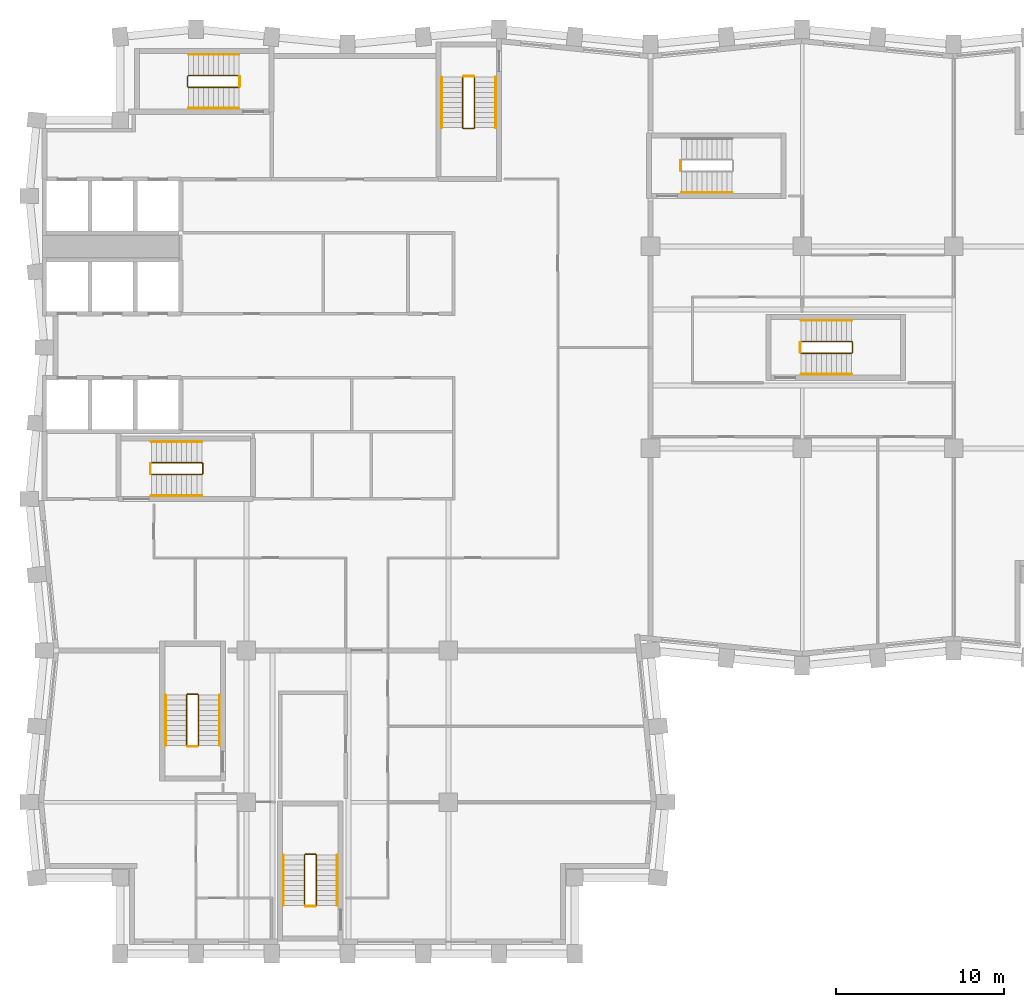
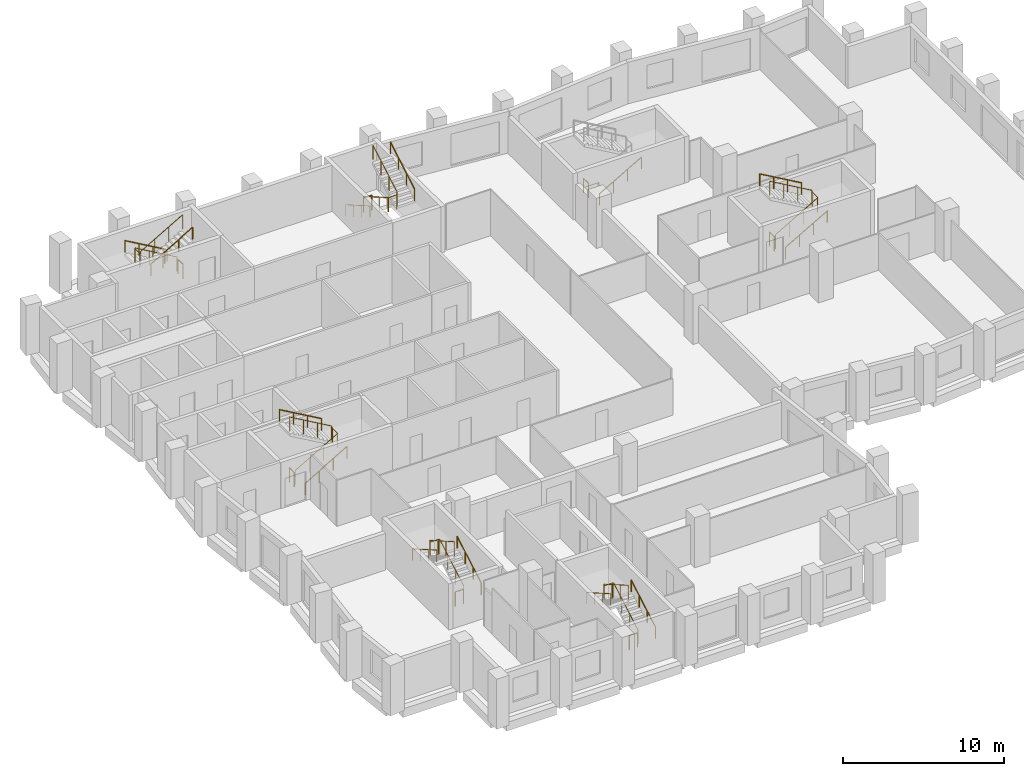
# One storey, part 9 of 10: 26 railings.
"""IFC4 building model written with IfcOpenShell, lengths in metres."""

from ifc_helpers import new_model, si_unit, direction, frame, origin, origin_2d, place, context, subcontext, project, spatial, circle, extrude, material, type_object, element, save


model = new_model("IFC4")

# Units and contexts
model_context = context("Model", 3, precision=1e-05, world=origin(), true_north=direction((0.0, 1.0)))
body_context = subcontext(model_context, "Body", "Model", "MODEL_VIEW")
ifc_project = project(units=[si_unit("LENGTHUNIT", "METRE"), si_unit("AREAUNIT", "SQUARE_METRE"), si_unit("VOLUMEUNIT", "CUBIC_METRE"), si_unit("PLANEANGLEUNIT", "RADIAN"), si_unit("MASSUNIT", "GRAM", prefix="KILO")], contexts=[model_context])

# Site, building, storey
site_placement = place(None, origin())
site = spatial("IfcSite", under=ifc_project, at=site_placement, CompositionType="ELEMENT")
building_placement = place(site_placement, origin())
building = spatial("IfcBuilding", under=site, at=building_placement, Name="Brondeck Convention Tower", CompositionType="ELEMENT")
storey_placement = place(building_placement, frame((0.0, 0.0, 154.800048828125)))
storey = spatial("IfcBuildingStorey", under=building, at=storey_placement, Name="L37", CompositionType="ELEMENT", Elevation=154.800048828125)

# Railings
ifc_material = material(Name="Steel S355", Category="steel")
railing_type_1 = type_object("IfcRailingType", Name="Stair guard 1100", PredefinedType="GUARDRAIL", material=ifc_material)
railing_1_placement = place(storey_placement, frame((6.35009765625, 37.449951171875, 0.172607421875)))
element("IfcRailing", 1, at=railing_1_placement, inside=storey, type_object=railing_type_1, Name="L37 ST-1 stair guard 1", PredefinedType="GUARDRAIL", context=body_context, shape_type="SweptSolid", body=[
    extrude(circle(Radius=0.02392578125, at=origin_2d()), frame((0.0, 0.0, 1.076171875), z_axis=(0.866619684472, 0.0, 0.498969260062), x_axis=(0.0, 1.0, 0.0)), (0.0, 0.0, 1.0), 3.461669921875),
    extrude(circle(Radius=0.02392578125, at=origin_2d()), frame((3.0, 0.0, 2.80322265625), z_axis=(0.705375805398, 0.708833529934, 0.0), x_axis=(-0.708833529934, 0.705375805398, 0.0)), (0.0, 0.0, 1.0), 0.070556640625),
    extrude(circle(Radius=0.02392578125, at=origin_2d()), frame((3.0498046875, 0.050048828125, 2.80322265625), z_axis=(0.0, 1.0, 0.0), x_axis=(-1.0, 0.0, 0.0)), (0.0, 0.0, 1.0), 0.60009765625),
    extrude(circle(Radius=0.02392578125, at=origin_2d()), frame((3.0498046875, 0.650146484375, 2.80322265625), z_axis=(-0.266832911964, 0.266832911964, 0.926067165051), x_axis=(-0.707106781187, -0.707106781187, 0.0)), (0.0, 0.0, 1.0), 0.186767578125),
    extrude(circle(Radius=0.02392578125, at=origin_2d()), frame((3.0, 0.699951171875, 2.97607421875), z_axis=(-0.866619684472, 0.0, 0.498969260062), x_axis=(0.0, -1.0, 0.0)), (0.0, 0.0, 1.0), 3.461669921875),
    extrude(circle(Radius=0.02099609375, at=origin_2d()), origin(), (0.0, 0.0, 1.0), 1.052001953125),
    extrude(circle(Radius=0.02099609375, at=origin_2d()), frame((1.0, 0.0, 0.57568359375)), (0.0, 0.0, 1.0), 1.052001953125),
    extrude(circle(Radius=0.02099609375, at=origin_2d()), frame((2.0, 0.0, 1.151611328125)), (0.0, 0.0, 1.0), 1.052001953125),
    extrude(circle(Radius=0.02099609375, at=origin_2d()), frame((3.0, 0.0, 1.727294921875)), (0.0, 0.0, 1.0), 1.052001953125),
    extrude(circle(Radius=0.02099609375, at=origin_2d()), frame((3.0498046875, 0.050048828125, 1.727294921875)), (0.0, 0.0, 1.0), 1.052001953125),
    extrude(circle(Radius=0.02099609375, at=origin_2d()), frame((3.0498046875, 0.650146484375, 1.727294921875)), (0.0, 0.0, 1.0), 1.052001953125),
    extrude(circle(Radius=0.02099609375, at=origin_2d()), frame((3.0, 0.699951171875, 1.900146484375)), (0.0, 0.0, 1.0), 1.052001953125),
    extrude(circle(Radius=0.02099609375, at=origin_2d()), frame((2.0, 0.699951171875, 2.475830078125)), (0.0, 0.0, 1.0), 1.052001953125),
    extrude(circle(Radius=0.02099609375, at=origin_2d()), frame((1.0, 0.699951171875, 3.0517578125)), (0.0, 0.0, 1.0), 1.052001953125),
    extrude(circle(Radius=0.02099609375, at=origin_2d()), frame((0.0, 0.699951171875, 3.62744140625)), (0.0, 0.0, 1.0), 1.052001953125),
])
railing_2_placement = place(storey_placement, frame((6.300048828125, 37.5, 0.0)))
element("IfcRailing", 2, at=railing_2_placement, inside=storey, type_object=railing_type_1, Name="L37 ST-1 stair guard 2", PredefinedType="GUARDRAIL", context=body_context, shape_type="SweptSolid", body=[
    extrude(circle(Radius=0.02392578125, at=origin_2d()), frame((0.0, 0.0, 1.076171875), z_axis=(0.0, 1.0, 0.0), x_axis=(-1.0, 0.0, 0.0)), (0.0, 0.0, 1.0), 0.60009765625),
    extrude(circle(Radius=0.02099609375, at=origin_2d()), origin(), (0.0, 0.0, 1.0), 1.052001953125),
    extrude(circle(Radius=0.02099609375, at=origin_2d()), frame((0.0, 0.60009765625, 0.0)), (0.0, 0.0, 1.0), 1.052001953125),
])
railing_3_placement = place(storey_placement, frame((24.85009765625, 61.050048828125, 0.172607421875)))
element("IfcRailing", 3, at=railing_3_placement, inside=storey, type_object=railing_type_1, Name="L37 ST-2 stair guard 1", PredefinedType="GUARDRAIL", context=body_context, shape_type="SweptSolid", body=[
    extrude(circle(Radius=0.02392578125, at=origin_2d()), frame((0.0, 0.0, 1.076171875), z_axis=(0.0, -0.866619684472, 0.498969260062), x_axis=(1.0, 0.0, 0.0)), (0.0, 0.0, 1.0), 3.461669921875),
    extrude(circle(Radius=0.02392578125, at=origin_2d()), frame((0.0, -3.0, 2.80322265625), z_axis=(0.705375805398, -0.708833529934, 0.0), x_axis=(0.708833529934, 0.705375805398, 0.0)), (0.0, 0.0, 1.0), 0.070556640625),
    extrude(circle(Radius=0.02392578125, at=origin_2d()), frame((0.0498046875, -3.050048828125, 2.80322265625), z_axis=(1.0, 0.0, 0.0), x_axis=(0.0, 1.0, 0.0)), (0.0, 0.0, 1.0), 0.60009765625),
    extrude(circle(Radius=0.02392578125, at=origin_2d()), frame((0.64990234375, -3.050048828125, 2.80322265625), z_axis=(0.267953482034, 0.267953482034, 0.925419830635), x_axis=(-0.707106781187, 0.707106781187, 0.0)), (0.0, 0.0, 1.0), 0.186767578125),
    extrude(circle(Radius=0.02392578125, at=origin_2d()), frame((0.699951171875, -3.0, 2.97607421875), z_axis=(0.0, 0.866619684472, 0.498969260062), x_axis=(-1.0, 0.0, 0.0)), (0.0, 0.0, 1.0), 3.461669921875),
    extrude(circle(Radius=0.02099609375, at=origin_2d()), origin(), (0.0, 0.0, 1.0), 1.052001953125),
    extrude(circle(Radius=0.02099609375, at=origin_2d()), frame((0.0, -1.0, 0.57568359375)), (0.0, 0.0, 1.0), 1.052001953125),
    extrude(circle(Radius=0.02099609375, at=origin_2d()), frame((0.0, -2.0, 1.151611328125)), (0.0, 0.0, 1.0), 1.052001953125),
    extrude(circle(Radius=0.02099609375, at=origin_2d()), frame((0.0, -3.0, 1.727294921875)), (0.0, 0.0, 1.0), 1.052001953125),
    extrude(circle(Radius=0.02099609375, at=origin_2d()), frame((0.0498046875, -3.050048828125, 1.727294921875)), (0.0, 0.0, 1.0), 1.052001953125),
    extrude(circle(Radius=0.02099609375, at=origin_2d()), frame((0.64990234375, -3.050048828125, 1.727294921875)), (0.0, 0.0, 1.0), 1.052001953125),
    extrude(circle(Radius=0.02099609375, at=origin_2d()), frame((0.699951171875, -3.0, 1.900146484375)), (0.0, 0.0, 1.0), 1.052001953125),
    extrude(circle(Radius=0.02099609375, at=origin_2d()), frame((0.699951171875, -2.0, 2.475830078125)), (0.0, 0.0, 1.0), 1.052001953125),
    extrude(circle(Radius=0.02099609375, at=origin_2d()), frame((0.699951171875, -1.0, 3.0517578125)), (0.0, 0.0, 1.0), 1.052001953125),
    extrude(circle(Radius=0.02099609375, at=origin_2d()), frame((0.699951171875, 0.0, 3.62744140625)), (0.0, 0.0, 1.0), 1.052001953125),
])
railing_4_placement = place(storey_placement, frame((24.89990234375, 61.10009765625, 0.0)))
element("IfcRailing", 4, at=railing_4_placement, inside=storey, type_object=railing_type_1, Name="L37 ST-2 stair guard 2", PredefinedType="GUARDRAIL", context=body_context, shape_type="SweptSolid", body=[
    extrude(circle(Radius=0.02392578125, at=origin_2d()), frame((0.0, 0.0, 1.076171875), z_axis=(1.0, 0.0, 0.0), x_axis=(0.0, 1.0, 0.0)), (0.0, 0.0, 1.0), 0.60009765625),
    extrude(circle(Radius=0.02099609375, at=origin_2d()), origin(), (0.0, 0.0, 1.0), 1.052001953125),
    extrude(circle(Radius=0.02099609375, at=origin_2d()), frame((0.60009765625, 0.0, 0.0)), (0.0, 0.0, 1.0), 1.052001953125),
])
railing_5_placement = place(storey_placement, frame((11.550048828125, 61.14990234375, 0.172607421875)))
element("IfcRailing", 5, at=railing_5_placement, inside=storey, type_object=railing_type_1, Name="L37 ST-3 stair guard 1", PredefinedType="GUARDRAIL", context=body_context, shape_type="SweptSolid", body=[
    extrude(circle(Radius=0.02392578125, at=origin_2d()), frame((0.0, 0.0, 1.076171875), z_axis=(-0.866619684472, 0.0, 0.498969260062), x_axis=(0.0, -1.0, 0.0)), (0.0, 0.0, 1.0), 3.461669921875),
    extrude(circle(Radius=0.02392578125, at=origin_2d()), frame((-3.0, 0.0, 2.80322265625), z_axis=(-0.708833529934, -0.705375805398, 0.0), x_axis=(0.705375805398, -0.708833529934, 0.0)), (0.0, 0.0, 1.0), 0.070556640625),
    extrude(circle(Radius=0.02392578125, at=origin_2d()), frame((-3.050048828125, -0.0498046875, 2.80322265625), z_axis=(0.0, -1.0, 0.0), x_axis=(1.0, 0.0, 0.0)), (0.0, 0.0, 1.0), 0.60009765625),
    extrude(circle(Radius=0.02392578125, at=origin_2d()), frame((-3.050048828125, -0.64990234375, 2.80322265625), z_axis=(0.267953482034, -0.267953482034, 0.925419830635), x_axis=(0.707106781187, 0.707106781187, 0.0)), (0.0, 0.0, 1.0), 0.186767578125),
    extrude(circle(Radius=0.02392578125, at=origin_2d()), frame((-3.0, -0.699951171875, 2.97607421875), z_axis=(0.866619684472, 0.0, 0.498969260062), x_axis=(0.0, 1.0, 0.0)), (0.0, 0.0, 1.0), 3.461669921875),
    extrude(circle(Radius=0.02099609375, at=origin_2d()), origin(), (0.0, 0.0, 1.0), 1.052001953125),
    extrude(circle(Radius=0.02099609375, at=origin_2d()), frame((-1.0, 0.0, 0.57568359375)), (0.0, 0.0, 1.0), 1.052001953125),
    extrude(circle(Radius=0.02099609375, at=origin_2d()), frame((-2.0, 0.0, 1.151611328125)), (0.0, 0.0, 1.0), 1.052001953125),
    extrude(circle(Radius=0.02099609375, at=origin_2d()), frame((-3.0, 0.0, 1.727294921875)), (0.0, 0.0, 1.0), 1.052001953125),
    extrude(circle(Radius=0.02099609375, at=origin_2d()), frame((-3.050048828125, -0.0498046875, 1.727294921875)), (0.0, 0.0, 1.0), 1.052001953125),
    extrude(circle(Radius=0.02099609375, at=origin_2d()), frame((-3.050048828125, -0.64990234375, 1.727294921875)), (0.0, 0.0, 1.0), 1.052001953125),
    extrude(circle(Radius=0.02099609375, at=origin_2d()), frame((-3.0, -0.699951171875, 1.900146484375)), (0.0, 0.0, 1.0), 1.052001953125),
    extrude(circle(Radius=0.02099609375, at=origin_2d()), frame((-2.0, -0.699951171875, 2.475830078125)), (0.0, 0.0, 1.0), 1.052001953125),
    extrude(circle(Radius=0.02099609375, at=origin_2d()), frame((-1.0, -0.699951171875, 3.0517578125)), (0.0, 0.0, 1.0), 1.052001953125),
    extrude(circle(Radius=0.02099609375, at=origin_2d()), frame((0.0, -0.699951171875, 3.62744140625)), (0.0, 0.0, 1.0), 1.052001953125),
])
railing_6_placement = place(storey_placement, frame((11.60009765625, 61.10009765625, 0.0)))
element("IfcRailing", 6, at=railing_6_placement, inside=storey, type_object=railing_type_1, Name="L37 ST-3 stair guard 2", PredefinedType="GUARDRAIL", context=body_context, shape_type="SweptSolid", body=[
    extrude(circle(Radius=0.02392578125, at=origin_2d()), frame((0.0, 0.0, 1.076171875), z_axis=(0.0, -1.0, 0.0), x_axis=(1.0, 0.0, 0.0)), (0.0, 0.0, 1.0), 0.60009765625),
    extrude(circle(Radius=0.02099609375, at=origin_2d()), origin(), (0.0, 0.0, 1.0), 1.052001953125),
    extrude(circle(Radius=0.02099609375, at=origin_2d()), frame((0.0, -0.60009765625, 0.0)), (0.0, 0.0, 1.0), 1.052001953125),
])
railing_7_placement = place(storey_placement, frame((37.800048828125, 55.5, 0.0)))
element("IfcRailing", 7, at=railing_7_placement, inside=storey, type_object=railing_type_1, Name="L37 ST-AE stair guard 2", PredefinedType="GUARDRAIL", context=body_context, shape_type="SweptSolid", body=[
    extrude(circle(Radius=0.02392578125, at=origin_2d()), frame((0.0, 0.0, 1.076171875), z_axis=(0.0, 1.0, 0.0), x_axis=(-1.0, 0.0, 0.0)), (0.0, 0.0, 1.0), 0.60009765625),
    extrude(circle(Radius=0.02099609375, at=origin_2d()), origin(), (0.0, 0.0, 1.0), 1.052001953125),
    extrude(circle(Radius=0.02099609375, at=origin_2d()), frame((0.0, 0.60009765625, 0.0)), (0.0, 0.0, 1.0), 1.052001953125),
])
railing_8_placement = place(storey_placement, frame((9.14990234375, 21.35009765625, 0.172607421875)))
element("IfcRailing", 8, at=railing_8_placement, inside=storey, type_object=railing_type_1, Name="L37 ST-BE stair guard 1", PredefinedType="GUARDRAIL", context=body_context, shape_type="SweptSolid", body=[
    extrude(circle(Radius=0.02392578125, at=origin_2d()), frame((0.0, 0.0, 1.076171875), z_axis=(0.0, 0.866619684472, 0.498969260062), x_axis=(-1.0, 0.0, 0.0)), (0.0, 0.0, 1.0), 3.461669921875),
    extrude(circle(Radius=0.02392578125, at=origin_2d()), frame((0.0, 3.0, 2.80322265625), z_axis=(-0.707106781187, 0.707106781187, 0.0), x_axis=(-0.707106781187, -0.707106781187, 0.0)), (0.0, 0.0, 1.0), 0.0703125),
    extrude(circle(Radius=0.02392578125, at=origin_2d()), frame((-0.0498046875, 3.0498046875, 2.80322265625), z_axis=(-1.0, 0.0, 0.0), x_axis=(0.0, -1.0, 0.0)), (0.0, 0.0, 1.0), 0.60009765625),
    extrude(circle(Radius=0.02392578125, at=origin_2d()), frame((-0.64990234375, 3.0498046875, 2.80322265625), z_axis=(-0.268047150085, -0.266739603011, 0.925743328097), x_axis=(0.705375805398, -0.708833529934, 0.0)), (0.0, 0.0, 1.0), 0.186767578125),
    extrude(circle(Radius=0.02392578125, at=origin_2d()), frame((-0.699951171875, 3.0, 2.97607421875), z_axis=(0.0, -0.866619684472, 0.498969260062), x_axis=(1.0, 0.0, 0.0)), (0.0, 0.0, 1.0), 3.461669921875),
    extrude(circle(Radius=0.02099609375, at=origin_2d()), origin(), (0.0, 0.0, 1.0), 1.052001953125),
    extrude(circle(Radius=0.02099609375, at=origin_2d()), frame((0.0, 1.0, 0.57568359375)), (0.0, 0.0, 1.0), 1.052001953125),
    extrude(circle(Radius=0.02099609375, at=origin_2d()), frame((0.0, 2.0, 1.151611328125)), (0.0, 0.0, 1.0), 1.052001953125),
    extrude(circle(Radius=0.02099609375, at=origin_2d()), frame((0.0, 3.0, 1.727294921875)), (0.0, 0.0, 1.0), 1.052001953125),
    extrude(circle(Radius=0.02099609375, at=origin_2d()), frame((-0.0498046875, 3.0498046875, 1.727294921875)), (0.0, 0.0, 1.0), 1.052001953125),
    extrude(circle(Radius=0.02099609375, at=origin_2d()), frame((-0.64990234375, 3.0498046875, 1.727294921875)), (0.0, 0.0, 1.0), 1.052001953125),
    extrude(circle(Radius=0.02099609375, at=origin_2d()), frame((-0.699951171875, 3.0, 1.900146484375)), (0.0, 0.0, 1.0), 1.052001953125),
    extrude(circle(Radius=0.02099609375, at=origin_2d()), frame((-0.699951171875, 2.0, 2.475830078125)), (0.0, 0.0, 1.0), 1.052001953125),
    extrude(circle(Radius=0.02099609375, at=origin_2d()), frame((-0.699951171875, 1.0, 3.0517578125)), (0.0, 0.0, 1.0), 1.052001953125),
    extrude(circle(Radius=0.02099609375, at=origin_2d()), frame((-0.699951171875, 0.0, 3.62744140625)), (0.0, 0.0, 1.0), 1.052001953125),
])
railing_9_placement = place(storey_placement, frame((9.10009765625, 21.300048828125, 0.0)))
element("IfcRailing", 9, at=railing_9_placement, inside=storey, type_object=railing_type_1, Name="L37 ST-BE stair guard 2", PredefinedType="GUARDRAIL", context=body_context, shape_type="SweptSolid", body=[
    extrude(circle(Radius=0.02392578125, at=origin_2d()), frame((0.0, 0.0, 1.076171875), z_axis=(-1.0, 0.0, 0.0), x_axis=(0.0, -1.0, 0.0)), (0.0, 0.0, 1.0), 0.60009765625),
    extrude(circle(Radius=0.02099609375, at=origin_2d()), origin(), (0.0, 0.0, 1.0), 1.052001953125),
    extrude(circle(Radius=0.02099609375, at=origin_2d()), frame((-0.60009765625, 0.0, 0.0)), (0.0, 0.0, 1.0), 1.052001953125),
])
railing_10_placement = place(storey_placement, frame((44.949951171875, 44.64990234375, 0.172607421875)))
element("IfcRailing", 10, at=railing_10_placement, inside=storey, type_object=railing_type_1, Name="L37 ST-AF stair guard 1", PredefinedType="GUARDRAIL", context=body_context, shape_type="SweptSolid", body=[
    extrude(circle(Radius=0.02392578125, at=origin_2d()), frame((0.0, 0.0, 1.076171875), z_axis=(0.866619684472, 0.0, 0.498969260062), x_axis=(0.0, 1.0, 0.0)), (0.0, 0.0, 1.0), 3.461669921875),
    extrude(circle(Radius=0.02392578125, at=origin_2d()), frame((3.0, 0.0, 2.80322265625), z_axis=(0.707106781187, 0.707106781187, 0.0), x_axis=(-0.707106781187, 0.707106781187, 0.0)), (0.0, 0.0, 1.0), 0.07080078125),
    extrude(circle(Radius=0.02392578125, at=origin_2d()), frame((3.050048828125, 0.050048828125, 2.80322265625), z_axis=(0.0, 1.0, 0.0), x_axis=(-1.0, 0.0, 0.0)), (0.0, 0.0, 1.0), 0.60009765625),
    extrude(circle(Radius=0.02392578125, at=origin_2d()), frame((3.050048828125, 0.650146484375, 2.80322265625), z_axis=(-0.267953482034, 0.267953482034, 0.925419830635), x_axis=(-0.707106781187, -0.707106781187, 0.0)), (0.0, 0.0, 1.0), 0.186767578125),
    extrude(circle(Radius=0.02392578125, at=origin_2d()), frame((3.0, 0.7001953125, 2.97607421875), z_axis=(-0.866619684472, 0.0, 0.498969260062), x_axis=(0.0, -1.0, 0.0)), (0.0, 0.0, 1.0), 3.461669921875),
    extrude(circle(Radius=0.02099609375, at=origin_2d()), origin(), (0.0, 0.0, 1.0), 1.052001953125),
    extrude(circle(Radius=0.02099609375, at=origin_2d()), frame((1.0, 0.0, 0.57568359375)), (0.0, 0.0, 1.0), 1.052001953125),
    extrude(circle(Radius=0.02099609375, at=origin_2d()), frame((2.0, 0.0, 1.151611328125)), (0.0, 0.0, 1.0), 1.052001953125),
    extrude(circle(Radius=0.02099609375, at=origin_2d()), frame((3.0, 0.0, 1.727294921875)), (0.0, 0.0, 1.0), 1.052001953125),
    extrude(circle(Radius=0.02099609375, at=origin_2d()), frame((3.050048828125, 0.050048828125, 1.727294921875)), (0.0, 0.0, 1.0), 1.052001953125),
    extrude(circle(Radius=0.02099609375, at=origin_2d()), frame((3.050048828125, 0.650146484375, 1.727294921875)), (0.0, 0.0, 1.0), 1.052001953125),
    extrude(circle(Radius=0.02099609375, at=origin_2d()), frame((3.0, 0.7001953125, 1.900146484375)), (0.0, 0.0, 1.0), 1.052001953125),
    extrude(circle(Radius=0.02099609375, at=origin_2d()), frame((2.0, 0.7001953125, 2.475830078125)), (0.0, 0.0, 1.0), 1.052001953125),
    extrude(circle(Radius=0.02099609375, at=origin_2d()), frame((1.0, 0.7001953125, 3.0517578125)), (0.0, 0.0, 1.0), 1.052001953125),
    extrude(circle(Radius=0.02099609375, at=origin_2d()), frame((0.0, 0.7001953125, 3.62744140625)), (0.0, 0.0, 1.0), 1.052001953125),
])
railing_11_placement = place(storey_placement, frame((44.89990234375, 44.699951171875, 0.0)))
element("IfcRailing", 11, at=railing_11_placement, inside=storey, type_object=railing_type_1, Name="L37 ST-AF stair guard 2", PredefinedType="GUARDRAIL", context=body_context, shape_type="SweptSolid", body=[
    extrude(circle(Radius=0.02392578125, at=origin_2d()), frame((0.0, 0.0, 1.076171875), z_axis=(0.0, 1.0, 0.0), x_axis=(-1.0, 0.0, 0.0)), (0.0, 0.0, 1.0), 0.60009765625),
    extrude(circle(Radius=0.02099609375, at=origin_2d()), origin(), (0.0, 0.0, 1.0), 1.052001953125),
    extrude(circle(Radius=0.02099609375, at=origin_2d()), frame((0.0, 0.60009765625, 0.0)), (0.0, 0.0, 1.0), 1.052001953125),
])
railing_12_placement = place(storey_placement, frame((16.14990234375, 11.85009765625, 0.172607421875)))
element("IfcRailing", 12, at=railing_12_placement, inside=storey, type_object=railing_type_1, Name="L37 ST-BF stair guard 1", PredefinedType="GUARDRAIL", context=body_context, shape_type="SweptSolid", body=[
    extrude(circle(Radius=0.02392578125, at=origin_2d()), frame((0.0, 0.0, 1.076171875), z_axis=(0.0, 0.866619684472, 0.498969260062), x_axis=(-1.0, 0.0, 0.0)), (0.0, 0.0, 1.0), 3.461669921875),
    extrude(circle(Radius=0.02392578125, at=origin_2d()), frame((0.0, 3.0, 2.80322265625), z_axis=(-0.707106781187, 0.707106781187, 0.0), x_axis=(-0.707106781187, -0.707106781187, 0.0)), (0.0, 0.0, 1.0), 0.0703125),
    extrude(circle(Radius=0.02392578125, at=origin_2d()), frame((-0.0498046875, 3.0498046875, 2.80322265625), z_axis=(-1.0, 0.0, 0.0), x_axis=(0.0, -1.0, 0.0)), (0.0, 0.0, 1.0), 0.60009765625),
    extrude(circle(Radius=0.02392578125, at=origin_2d()), frame((-0.64990234375, 3.0498046875, 2.80322265625), z_axis=(-0.268047150085, -0.266739603011, 0.925743328097), x_axis=(0.705375805398, -0.708833529934, 0.0)), (0.0, 0.0, 1.0), 0.186767578125),
    extrude(circle(Radius=0.02392578125, at=origin_2d()), frame((-0.699951171875, 3.0, 2.97607421875), z_axis=(0.0, -0.866619684472, 0.498969260062), x_axis=(1.0, 0.0, 0.0)), (0.0, 0.0, 1.0), 3.461669921875),
    extrude(circle(Radius=0.02099609375, at=origin_2d()), origin(), (0.0, 0.0, 1.0), 1.052001953125),
    extrude(circle(Radius=0.02099609375, at=origin_2d()), frame((0.0, 1.0, 0.57568359375)), (0.0, 0.0, 1.0), 1.052001953125),
    extrude(circle(Radius=0.02099609375, at=origin_2d()), frame((0.0, 2.0, 1.151611328125)), (0.0, 0.0, 1.0), 1.052001953125),
    extrude(circle(Radius=0.02099609375, at=origin_2d()), frame((0.0, 3.0, 1.727294921875)), (0.0, 0.0, 1.0), 1.052001953125),
    extrude(circle(Radius=0.02099609375, at=origin_2d()), frame((-0.0498046875, 3.0498046875, 1.727294921875)), (0.0, 0.0, 1.0), 1.052001953125),
    extrude(circle(Radius=0.02099609375, at=origin_2d()), frame((-0.64990234375, 3.0498046875, 1.727294921875)), (0.0, 0.0, 1.0), 1.052001953125),
    extrude(circle(Radius=0.02099609375, at=origin_2d()), frame((-0.699951171875, 3.0, 1.900146484375)), (0.0, 0.0, 1.0), 1.052001953125),
    extrude(circle(Radius=0.02099609375, at=origin_2d()), frame((-0.699951171875, 2.0, 2.475830078125)), (0.0, 0.0, 1.0), 1.052001953125),
    extrude(circle(Radius=0.02099609375, at=origin_2d()), frame((-0.699951171875, 1.0, 3.0517578125)), (0.0, 0.0, 1.0), 1.052001953125),
    extrude(circle(Radius=0.02099609375, at=origin_2d()), frame((-0.699951171875, 0.0, 3.62744140625)), (0.0, 0.0, 1.0), 1.052001953125),
])
railing_13_placement = place(storey_placement, frame((16.10009765625, 11.800048828125, 0.0)))
element("IfcRailing", 13, at=railing_13_placement, inside=storey, type_object=railing_type_1, Name="L37 ST-BF stair guard 2", PredefinedType="GUARDRAIL", context=body_context, shape_type="SweptSolid", body=[
    extrude(circle(Radius=0.02392578125, at=origin_2d()), frame((0.0, 0.0, 1.076171875), z_axis=(-1.0, 0.0, 0.0), x_axis=(0.0, -1.0, 0.0)), (0.0, 0.0, 1.0), 0.60009765625),
    extrude(circle(Radius=0.02099609375, at=origin_2d()), origin(), (0.0, 0.0, 1.0), 1.052001953125),
    extrude(circle(Radius=0.02099609375, at=origin_2d()), frame((-0.60009765625, 0.0, 0.0)), (0.0, 0.0, 1.0), 1.052001953125),
])
railing_type_2 = type_object("IfcRailingType", Name="Stair handrail", PredefinedType="HANDRAIL", material=ifc_material)
railing_14_placement = place(storey_placement, frame((6.35009765625, 36.199951171875, 0.172607421875)))
element("IfcRailing", 14, at=railing_14_placement, inside=storey, type_object=railing_type_2, Name="L37 ST-1 stair handrail 1", PredefinedType="HANDRAIL", context=body_context, shape_type="SweptSolid", body=[
    extrude(circle(Radius=0.02392578125, at=origin_2d()), frame((0.0, 0.0, 0.8759765625), z_axis=(0.866619684472, 0.0, 0.498969260062), x_axis=(0.0, 1.0, 0.0)), (0.0, 0.0, 1.0), 3.461669921875),
    extrude(circle(Radius=0.02099609375, at=origin_2d()), origin(), (0.0, 0.0, 1.0), 0.851806640625),
    extrude(circle(Radius=0.02099609375, at=origin_2d()), frame((1.0, 0.0, 0.57568359375)), (0.0, 0.0, 1.0), 0.851806640625),
    extrude(circle(Radius=0.02099609375, at=origin_2d()), frame((2.0, 0.0, 1.151611328125)), (0.0, 0.0, 1.0), 0.851806640625),
    extrude(circle(Radius=0.02099609375, at=origin_2d()), frame((3.0, 0.0, 1.727294921875)), (0.0, 0.0, 1.0), 0.851806640625),
])
railing_15_placement = place(storey_placement, frame((9.35009765625, 39.39990234375, 2.07275390625)))
element("IfcRailing", 15, at=railing_15_placement, inside=storey, type_object=railing_type_2, Name="L37 ST-1 stair handrail 2", PredefinedType="HANDRAIL", context=body_context, shape_type="SweptSolid", body=[
    extrude(circle(Radius=0.02392578125, at=origin_2d()), frame((0.0, 0.0, 0.8759765625), z_axis=(-0.866619684472, 0.0, 0.498969260062), x_axis=(0.0, -1.0, 0.0)), (0.0, 0.0, 1.0), 3.461669921875),
    extrude(circle(Radius=0.02099609375, at=origin_2d()), origin(), (0.0, 0.0, 1.0), 0.851806640625),
    extrude(circle(Radius=0.02099609375, at=origin_2d()), frame((-1.0, 0.0, 0.57568359375)), (0.0, 0.0, 1.0), 0.851806640625),
    extrude(circle(Radius=0.02099609375, at=origin_2d()), frame((-2.0, 0.0, 1.151611328125)), (0.0, 0.0, 1.0), 0.851806640625),
    extrude(circle(Radius=0.02099609375, at=origin_2d()), frame((-3.0, 0.0, 1.727294921875)), (0.0, 0.0, 1.0), 0.851806640625),
])
railing_16_placement = place(storey_placement, frame((23.60009765625, 61.050048828125, 0.172607421875)))
element("IfcRailing", 16, at=railing_16_placement, inside=storey, type_object=railing_type_2, Name="L37 ST-2 stair handrail 1", PredefinedType="HANDRAIL", context=body_context, shape_type="SweptSolid", body=[
    extrude(circle(Radius=0.02392578125, at=origin_2d()), frame((0.0, 0.0, 0.8759765625), z_axis=(0.0, -0.866619684472, 0.498969260062), x_axis=(1.0, 0.0, 0.0)), (0.0, 0.0, 1.0), 3.461669921875),
    extrude(circle(Radius=0.02099609375, at=origin_2d()), origin(), (0.0, 0.0, 1.0), 0.851806640625),
    extrude(circle(Radius=0.02099609375, at=origin_2d()), frame((0.0, -1.0, 0.57568359375)), (0.0, 0.0, 1.0), 0.851806640625),
    extrude(circle(Radius=0.02099609375, at=origin_2d()), frame((0.0, -2.0, 1.151611328125)), (0.0, 0.0, 1.0), 0.851806640625),
    extrude(circle(Radius=0.02099609375, at=origin_2d()), frame((0.0, -3.0, 1.727294921875)), (0.0, 0.0, 1.0), 0.851806640625),
])
railing_17_placement = place(storey_placement, frame((26.800048828125, 58.050048828125, 2.07275390625)))
element("IfcRailing", 17, at=railing_17_placement, inside=storey, type_object=railing_type_2, Name="L37 ST-2 stair handrail 2", PredefinedType="HANDRAIL", context=body_context, shape_type="SweptSolid", body=[
    extrude(circle(Radius=0.02392578125, at=origin_2d()), frame((0.0, 0.0, 0.8759765625), z_axis=(0.0, 0.866619684472, 0.498969260062), x_axis=(-1.0, 0.0, 0.0)), (0.0, 0.0, 1.0), 3.461669921875),
    extrude(circle(Radius=0.02099609375, at=origin_2d()), origin(), (0.0, 0.0, 1.0), 0.851806640625),
    extrude(circle(Radius=0.02099609375, at=origin_2d()), frame((0.0, 1.0, 0.57568359375)), (0.0, 0.0, 1.0), 0.851806640625),
    extrude(circle(Radius=0.02099609375, at=origin_2d()), frame((0.0, 2.0, 1.151611328125)), (0.0, 0.0, 1.0), 0.851806640625),
    extrude(circle(Radius=0.02099609375, at=origin_2d()), frame((0.0, 3.0, 1.727294921875)), (0.0, 0.0, 1.0), 0.851806640625),
])
railing_18_placement = place(storey_placement, frame((11.550048828125, 62.39990234375, 0.172607421875)))
element("IfcRailing", 18, at=railing_18_placement, inside=storey, type_object=railing_type_2, Name="L37 ST-3 stair handrail 1", PredefinedType="HANDRAIL", context=body_context, shape_type="SweptSolid", body=[
    extrude(circle(Radius=0.02392578125, at=origin_2d()), frame((0.0, 0.0, 0.8759765625), z_axis=(-0.866619684472, 0.0, 0.498969260062), x_axis=(0.0, -1.0, 0.0)), (0.0, 0.0, 1.0), 3.461669921875),
    extrude(circle(Radius=0.02099609375, at=origin_2d()), origin(), (0.0, 0.0, 1.0), 0.851806640625),
    extrude(circle(Radius=0.02099609375, at=origin_2d()), frame((-1.0, 0.0, 0.57568359375)), (0.0, 0.0, 1.0), 0.851806640625),
    extrude(circle(Radius=0.02099609375, at=origin_2d()), frame((-2.0, 0.0, 1.151611328125)), (0.0, 0.0, 1.0), 0.851806640625),
    extrude(circle(Radius=0.02099609375, at=origin_2d()), frame((-3.0, 0.0, 1.727294921875)), (0.0, 0.0, 1.0), 0.851806640625),
])
for number, where, name in (
    (19, (8.550048828125, 59.199951171875, 2.07275390625), "L37 ST-3 stair handrail 2"),
    (20, (37.85009765625, 54.199951171875, 0.172607421875), "L37 ST-AE stair handrail 1"),
):
    element("IfcRailing", number, at=place(storey_placement, frame(where)), inside=storey, type_object=railing_type_2, Name=name, PredefinedType="HANDRAIL", context=body_context, shape_type="SweptSolid", body=[
        extrude(circle(Radius=0.02392578125, at=origin_2d()), frame((0.0, 0.0, 0.8759765625), z_axis=(0.866619684472, 0.0, 0.498969260062), x_axis=(0.0, 1.0, 0.0)), (0.0, 0.0, 1.0), 3.461669921875),
        extrude(circle(Radius=0.02099609375, at=origin_2d()), origin(), (0.0, 0.0, 1.0), 0.851806640625),
        extrude(circle(Radius=0.02099609375, at=origin_2d()), frame((1.0, 0.0, 0.57568359375)), (0.0, 0.0, 1.0), 0.851806640625),
        extrude(circle(Radius=0.02099609375, at=origin_2d()), frame((2.0, 0.0, 1.151611328125)), (0.0, 0.0, 1.0), 0.851806640625),
        extrude(circle(Radius=0.02099609375, at=origin_2d()), frame((3.0, 0.0, 1.727294921875)), (0.0, 0.0, 1.0), 0.851806640625),
    ])
railing_19_placement = place(storey_placement, frame((10.39990234375, 21.35009765625, 0.172607421875)))
element("IfcRailing", 21, at=railing_19_placement, inside=storey, type_object=railing_type_2, Name="L37 ST-BE stair handrail 1", PredefinedType="HANDRAIL", context=body_context, shape_type="SweptSolid", body=[
    extrude(circle(Radius=0.02392578125, at=origin_2d()), frame((0.0, 0.0, 0.8759765625), z_axis=(0.0, 0.866619684472, 0.498969260062), x_axis=(-1.0, 0.0, 0.0)), (0.0, 0.0, 1.0), 3.461669921875),
    extrude(circle(Radius=0.02099609375, at=origin_2d()), origin(), (0.0, 0.0, 1.0), 0.851806640625),
    extrude(circle(Radius=0.02099609375, at=origin_2d()), frame((0.0, 1.0, 0.57568359375)), (0.0, 0.0, 1.0), 0.851806640625),
    extrude(circle(Radius=0.02099609375, at=origin_2d()), frame((0.0, 2.0, 1.151611328125)), (0.0, 0.0, 1.0), 0.851806640625),
    extrude(circle(Radius=0.02099609375, at=origin_2d()), frame((0.0, 3.0, 1.727294921875)), (0.0, 0.0, 1.0), 0.851806640625),
])
railing_20_placement = place(storey_placement, frame((7.199951171875, 24.35009765625, 2.07275390625)))
element("IfcRailing", 22, at=railing_20_placement, inside=storey, type_object=railing_type_2, Name="L37 ST-BE stair handrail 2", PredefinedType="HANDRAIL", context=body_context, shape_type="SweptSolid", body=[
    extrude(circle(Radius=0.02392578125, at=origin_2d()), frame((0.0, 0.0, 0.8759765625), z_axis=(0.0, -0.866619684472, 0.498969260062), x_axis=(1.0, 0.0, 0.0)), (0.0, 0.0, 1.0), 3.461669921875),
    extrude(circle(Radius=0.02099609375, at=origin_2d()), origin(), (0.0, 0.0, 1.0), 0.851806640625),
    extrude(circle(Radius=0.02099609375, at=origin_2d()), frame((0.0, -1.0, 0.57568359375)), (0.0, 0.0, 1.0), 0.851806640625),
    extrude(circle(Radius=0.02099609375, at=origin_2d()), frame((0.0, -2.0, 1.151611328125)), (0.0, 0.0, 1.0), 0.851806640625),
    extrude(circle(Radius=0.02099609375, at=origin_2d()), frame((0.0, -3.0, 1.727294921875)), (0.0, 0.0, 1.0), 0.851806640625),
])
railing_21_placement = place(storey_placement, frame((44.949951171875, 43.39990234375, 0.172607421875)))
element("IfcRailing", 23, at=railing_21_placement, inside=storey, type_object=railing_type_2, Name="L37 ST-AF stair handrail 1", PredefinedType="HANDRAIL", context=body_context, shape_type="SweptSolid", body=[
    extrude(circle(Radius=0.02392578125, at=origin_2d()), frame((0.0, 0.0, 0.8759765625), z_axis=(0.866619684472, 0.0, 0.498969260062), x_axis=(0.0, 1.0, 0.0)), (0.0, 0.0, 1.0), 3.461669921875),
    extrude(circle(Radius=0.02099609375, at=origin_2d()), origin(), (0.0, 0.0, 1.0), 0.851806640625),
    extrude(circle(Radius=0.02099609375, at=origin_2d()), frame((1.0, 0.0, 0.57568359375)), (0.0, 0.0, 1.0), 0.851806640625),
    extrude(circle(Radius=0.02099609375, at=origin_2d()), frame((2.0, 0.0, 1.151611328125)), (0.0, 0.0, 1.0), 0.851806640625),
    extrude(circle(Radius=0.02099609375, at=origin_2d()), frame((3.0, 0.0, 1.727294921875)), (0.0, 0.0, 1.0), 0.851806640625),
])
railing_22_placement = place(storey_placement, frame((47.949951171875, 46.60009765625, 2.07275390625)))
element("IfcRailing", 24, at=railing_22_placement, inside=storey, type_object=railing_type_2, Name="L37 ST-AF stair handrail 2", PredefinedType="HANDRAIL", context=body_context, shape_type="SweptSolid", body=[
    extrude(circle(Radius=0.02392578125, at=origin_2d()), frame((0.0, 0.0, 0.8759765625), z_axis=(-0.866619684472, 0.0, 0.498969260062), x_axis=(0.0, -1.0, 0.0)), (0.0, 0.0, 1.0), 3.461669921875),
    extrude(circle(Radius=0.02099609375, at=origin_2d()), origin(), (0.0, 0.0, 1.0), 0.851806640625),
    extrude(circle(Radius=0.02099609375, at=origin_2d()), frame((-1.0, 0.0, 0.57568359375)), (0.0, 0.0, 1.0), 0.851806640625),
    extrude(circle(Radius=0.02099609375, at=origin_2d()), frame((-2.0, 0.0, 1.151611328125)), (0.0, 0.0, 1.0), 0.851806640625),
    extrude(circle(Radius=0.02099609375, at=origin_2d()), frame((-3.0, 0.0, 1.727294921875)), (0.0, 0.0, 1.0), 0.851806640625),
])
railing_23_placement = place(storey_placement, frame((17.39990234375, 11.85009765625, 0.172607421875)))
element("IfcRailing", 25, at=railing_23_placement, inside=storey, type_object=railing_type_2, Name="L37 ST-BF stair handrail 1", PredefinedType="HANDRAIL", context=body_context, shape_type="SweptSolid", body=[
    extrude(circle(Radius=0.02392578125, at=origin_2d()), frame((0.0, 0.0, 0.8759765625), z_axis=(0.0, 0.866619684472, 0.498969260062), x_axis=(-1.0, 0.0, 0.0)), (0.0, 0.0, 1.0), 3.461669921875),
    extrude(circle(Radius=0.02099609375, at=origin_2d()), origin(), (0.0, 0.0, 1.0), 0.851806640625),
    extrude(circle(Radius=0.02099609375, at=origin_2d()), frame((0.0, 1.0, 0.57568359375)), (0.0, 0.0, 1.0), 0.851806640625),
    extrude(circle(Radius=0.02099609375, at=origin_2d()), frame((0.0, 2.0, 1.151611328125)), (0.0, 0.0, 1.0), 0.851806640625),
    extrude(circle(Radius=0.02099609375, at=origin_2d()), frame((0.0, 3.0, 1.727294921875)), (0.0, 0.0, 1.0), 0.851806640625),
])
railing_24_placement = place(storey_placement, frame((14.199951171875, 14.85009765625, 2.07275390625)))
element("IfcRailing", 26, at=railing_24_placement, inside=storey, type_object=railing_type_2, Name="L37 ST-BF stair handrail 2", PredefinedType="HANDRAIL", context=body_context, shape_type="SweptSolid", body=[
    extrude(circle(Radius=0.02392578125, at=origin_2d()), frame((0.0, 0.0, 0.8759765625), z_axis=(0.0, -0.866619684472, 0.498969260062), x_axis=(1.0, 0.0, 0.0)), (0.0, 0.0, 1.0), 3.461669921875),
    extrude(circle(Radius=0.02099609375, at=origin_2d()), origin(), (0.0, 0.0, 1.0), 0.851806640625),
    extrude(circle(Radius=0.02099609375, at=origin_2d()), frame((0.0, -1.0, 0.57568359375)), (0.0, 0.0, 1.0), 0.851806640625),
    extrude(circle(Radius=0.02099609375, at=origin_2d()), frame((0.0, -2.0, 1.151611328125)), (0.0, 0.0, 1.0), 0.851806640625),
    extrude(circle(Radius=0.02099609375, at=origin_2d()), frame((0.0, -3.0, 1.727294921875)), (0.0, 0.0, 1.0), 0.851806640625),
])

save(model, "model.ifc")
